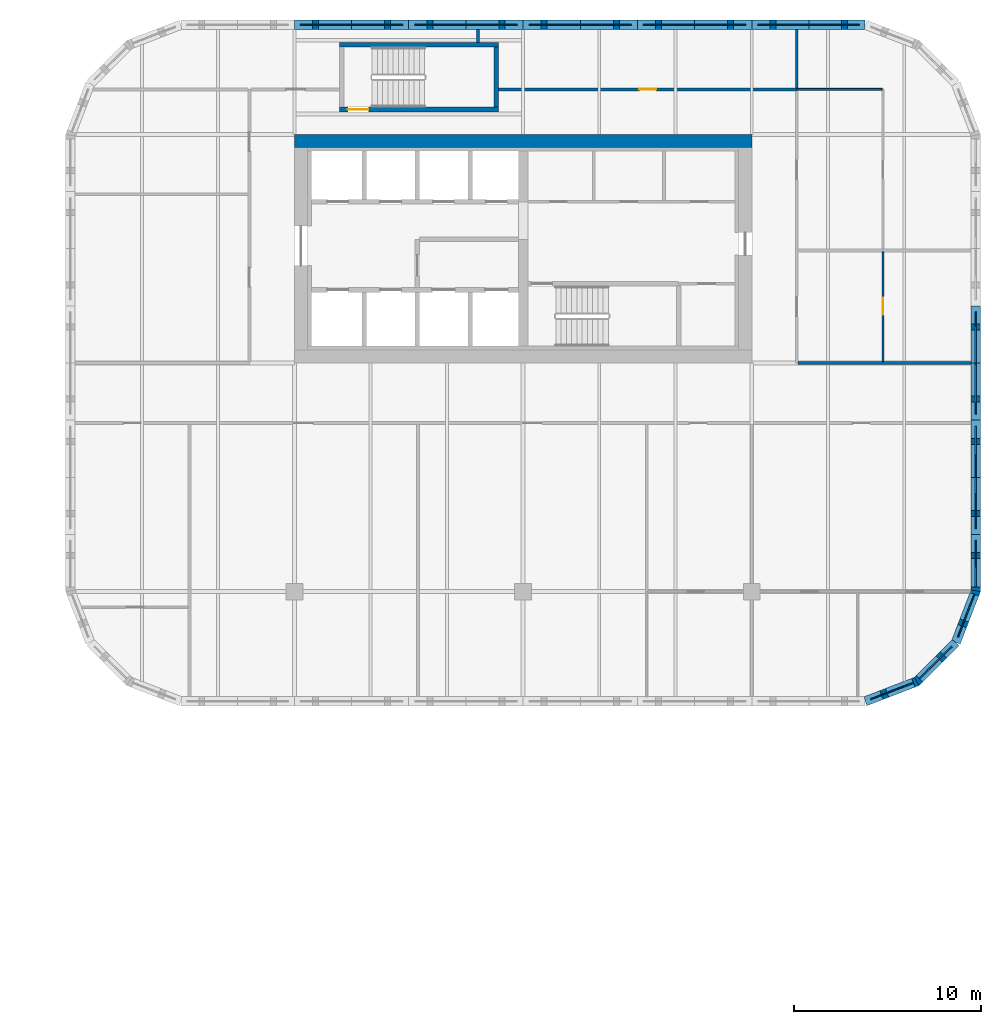
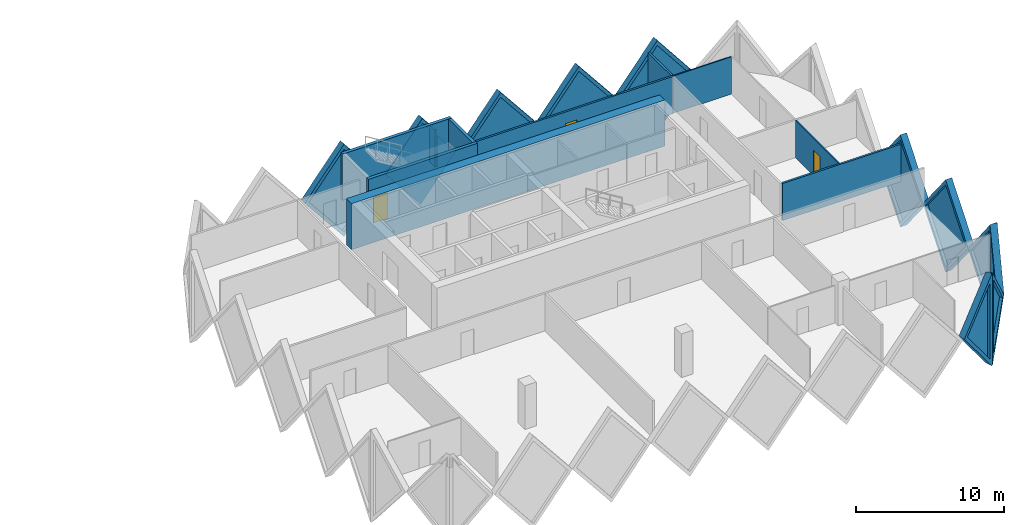
# One storey, part 14 of 18: 21 walls, 11 plates, 3 doors, 14 openings.
"""IFC4 building model written with IfcOpenShell, lengths in metres."""

from ifc_helpers import new_model, si_unit, direction, frame, frame_2d, origin, place, context, subcontext, project, spatial, polyline, rectangle, outline, extrude, faceted_brep, source, transform, mapped, material, layer, layer_set, type_object, element, fill, save


model = new_model("IFC4")

# Units and contexts
model_context = context("Model", 3, precision=1e-05, world=origin(), true_north=direction((0.0, 1.0)))
body_context = subcontext(model_context, "Body", "Model", "MODEL_VIEW")
ifc_project = project(units=[si_unit("LENGTHUNIT", "METRE"), si_unit("AREAUNIT", "SQUARE_METRE"), si_unit("VOLUMEUNIT", "CUBIC_METRE"), si_unit("PLANEANGLEUNIT", "RADIAN"), si_unit("MASSUNIT", "GRAM", prefix="KILO")], contexts=[model_context])

# Site, building, storey
site_placement = place(None, origin())
site = spatial("IfcSite", under=ifc_project, at=site_placement, CompositionType="ELEMENT")
building_placement = place(site_placement, origin())
building = spatial("IfcBuilding", under=site, at=building_placement, Name="Tessera Gate Towers", CompositionType="ELEMENT")
storey_placement = place(building_placement, frame((0.0, 0.0, 37.199951171875)))
storey = spatial("IfcBuildingStorey", under=building, at=storey_placement, Name="L08", CompositionType="ELEMENT", Elevation=37.199951171875)

# Wall, opening, door
ifc_material_1 = material(Name="Concrete C40/50", Category="concrete")
ifc_layer_1 = layer(ifc_material_1, 0.25)
ifc_layer_set_1 = layer_set([ifc_layer_1], Name="CORE ENCLOSURE WALL 250")
wall_type_1 = type_object("IfcWallType", Name="CORE ENCLOSURE WALL 250", PredefinedType="SOLIDWALL", material=ifc_layer_set_1)
wall_1_placement = place(storey_placement, frame((108.5, 50.125, 0.0), z_axis=(0.0, 0.0, 1.0), x_axis=(-1.0, 0.0, 0.0)))
wall_1 = element("IfcWall", 1, at=wall_1_placement, inside=storey, type_object=wall_type_1, Name="L08 ST7 enclosure wall", PredefinedType="SOLIDWALL", context=body_context, shape_type="SweptSolid", body=[
    extrude(rectangle(XDim=8.5, YDim=0.25, at=frame_2d((4.25, 0.0))), origin(), (0.0, 0.0, 1.0), 3.800048828125),
])
shared_shape_1 = source(origin(), body_context, "Body", "SweptSolid", [
    extrude(rectangle(XDim=1.10009765625, YDim=2.10009765625, at=frame_2d((0.550048828125, 1.050048828125))), frame((0.0, 0.135009765625, 0.0), z_axis=(0.0, -1.0, 0.0), x_axis=(1.0, 0.0, 0.0)), (0.0, 0.0, 1.0), 0.27001953125),
])
opening_1_placement = place(wall_1_placement, frame((6.949951171875, 0.0, 0.0)))
opening_1 = element("IfcOpeningElement", 2, at=opening_1_placement, cuts=wall_1, Name="Opening SD-ST7-1", PredefinedType="OPENING", context=body_context, shape_type="MappedRepresentation", body=[
    mapped(shared_shape_1, transform((0.0, 0.0, 0.0), scale=1.0)),
])
ifc_material_2 = material(Name="Hollow steel fire door", Category="steel")
door_type_1 = type_object("IfcDoorType", Name="CORE DOOR SD1100 1100x2100", OperationType="NOTDEFINED", PredefinedType="DOOR", material=ifc_material_2)
shared_shape_2 = source(origin(), body_context, "Body", "SweptSolid", [
    extrude(rectangle(XDim=1.10009765625, YDim=2.10009765625, at=frame_2d((0.550048828125, 1.050048828125))), frame((0.0, 0.02490234375, 0.0), z_axis=(0.0, -1.0, 0.0), x_axis=(1.0, 0.0, 0.0)), (0.0, 0.0, 1.0), 0.050048828125),
])
door_1_placement = place(opening_1_placement, origin())
door_1 = element("IfcDoor", 3, at=door_1_placement, inside=storey, type_object=door_type_1, Name="Stair door", OperationType="SINGLE_SWING_RIGHT", OverallHeight=2.10009765625, OverallWidth=1.10009765625, PredefinedType="DOOR", context=body_context, shape_type="MappedRepresentation", body=[
    mapped(shared_shape_2, transform((0.0, 0.0, 0.0), scale=1.0)),
])
fill(opening_1, door_1)

# Walls
wall_2_placement = place(storey_placement, frame((100.0, 53.574951171875, 0.0), z_axis=(0.0, 0.0, 1.0), x_axis=(1.0, 0.0, 0.0)))
element("IfcWall", 4, at=wall_2_placement, inside=storey, type_object=wall_type_1, Name="L08 ST7 enclosure wall", PredefinedType="SOLIDWALL", context=body_context, shape_type="SweptSolid", body=[
    extrude(rectangle(XDim=8.5, YDim=0.25, at=frame_2d((4.25, 0.0))), origin(), (0.0, 0.0, 1.0), 3.800048828125),
])
wall_3_placement = place(storey_placement, frame((108.375, 53.449951171875, 0.0), z_axis=(0.0, 0.0, 1.0), x_axis=(0.0, -1.0, 0.0)))
element("IfcWall", 5, at=wall_3_placement, inside=storey, type_object=wall_type_1, Name="L08 ST7 enclosure wall", PredefinedType="SOLIDWALL", context=body_context, shape_type="SweptSolid", body=[
    extrude(rectangle(XDim=3.199951171875, YDim=0.25, at=frame_2d((1.60009765625, 0.0))), origin(), (0.0, 0.0, 1.0), 3.800048828125),
])
ifc_material_3 = material(Name="Concrete C60/75", Category="concrete")
ifc_layer_2 = layer(ifc_material_3, 0.699951171875)
ifc_layer_set_2 = layer_set([ifc_layer_2], Name="CORE SHEAR WALL 700 C60/75")
wall_type_2 = type_object("IfcWallType", Name="CORE SHEAR WALL 700 C60/75", PredefinedType="SHEAR", material=ifc_layer_set_2)
wall_4_placement = place(storey_placement, frame((97.60009765625, 48.449951171875, 0.0), z_axis=(0.0, 0.0, 1.0), x_axis=(1.0, 0.0, 0.0)))
element("IfcWall", 6, at=wall_4_placement, inside=storey, type_object=wall_type_2, Name="Core wall N L08", PredefinedType="SHEAR", context=body_context, shape_type="SweptSolid", body=[
    extrude(rectangle(XDim=24.39990234375, YDim=0.699951171875, at=frame_2d((12.199951171875, 0.0))), origin(), (0.0, 0.0, 1.0), 3.800048828125),
])
ifc_material_4 = material(Name="Gypsum board on steel studs, mineral wool", Category="steel")
ifc_layer_3 = layer(ifc_material_4, 0.14990234375)
ifc_layer_set_3 = layer_set([ifc_layer_3], Name="CORRIDOR WALL 150")
wall_type_3 = type_object("IfcWallType", Name="CORRIDOR WALL 150", PredefinedType="PARTITIONING", material=ifc_layer_set_3)
wall_5_placement = place(storey_placement, frame((124.47607421875, 36.60009765625, 0.0), z_axis=(0.0, 0.0, 1.0), x_axis=(1.0, 0.0, 0.0)))
element("IfcWall", 7, at=wall_5_placement, inside=storey, type_object=wall_type_3, Name="T2-L08-PW-014", PredefinedType="PARTITIONING", context=body_context, shape_type="SweptSolid", body=[
    extrude(rectangle(XDim=9.223876953125, YDim=0.14990234375, at=frame_2d((4.61181640625, 0.0))), origin(), (0.0, 0.0, 1.0), 3.067138671875),
])

# Wall, opening, door
wall_6_placement = place(storey_placement, frame((108.5, 51.199951171875, 0.0), z_axis=(0.0, 0.0, 1.0), x_axis=(1.0, 0.0, 0.0)))
wall_6 = element("IfcWall", 8, at=wall_6_placement, inside=storey, type_object=wall_type_3, Name="T2-L08-PW-022", PredefinedType="PARTITIONING", context=body_context, shape_type="SweptSolid", body=[
    extrude(rectangle(XDim=15.89990234375, YDim=0.14990234375, at=frame_2d((7.949951171875, 0.0))), origin(), (0.0, 0.0, 1.0), 3.067138671875),
])
shared_shape_3 = source(origin(), body_context, "Body", "SweptSolid", [
    extrude(rectangle(XDim=0.89990234375, YDim=2.10009765625, at=frame_2d((0.449951171875, 1.050048828125))), frame((0.0, 0.0849609375, 0.0), z_axis=(0.0, -1.0, 0.0), x_axis=(1.0, 0.0, 0.0)), (0.0, 0.0, 1.0), 0.169921875),
])
opening_2_placement = place(wall_6_placement, frame((7.5, 0.0, 0.0)))
opening_2 = element("IfcOpeningElement", 9, at=opening_2_placement, cuts=wall_6, Name="Opening D890FD60-B04-04", PredefinedType="OPENING", context=body_context, shape_type="MappedRepresentation", body=[
    mapped(shared_shape_3, transform((0.0, 0.0, 0.0), scale=1.0)),
])
ifc_material_5 = material(Name="Timber door leaf in steel frame", Category="steel")
door_type_2 = type_object("IfcDoorType", Name="CORRIDOR DOOR 900 FD60", OperationType="NOTDEFINED", PredefinedType="DOOR", material=ifc_material_5)
shared_shape_4 = source(origin(), body_context, "Body", "SweptSolid", [
    extrude(rectangle(XDim=0.89990234375, YDim=2.10009765625, at=frame_2d((0.449951171875, 1.050048828125))), frame((0.0, 0.02490234375, 0.0), z_axis=(0.0, -1.0, 0.0), x_axis=(1.0, 0.0, 0.0)), (0.0, 0.0, 1.0), 0.050048828125),
])
door_2_placement = place(opening_2_placement, origin())
door_2 = element("IfcDoor", 10, at=door_2_placement, inside=storey, type_object=door_type_2, Name="T2-L08-PD-016", OperationType="SINGLE_SWING_LEFT", OverallHeight=2.10009765625, OverallWidth=0.89990234375, PredefinedType="DOOR", context=body_context, shape_type="MappedRepresentation", body=[
    mapped(shared_shape_4, transform((0.0, 0.0, 0.0), scale=1.0)),
])
fill(opening_2, door_2)

ifc_material_6 = material(Name="Glass", Category="glass")
ifc_layer_4 = layer(ifc_material_6, 0.10009765625)
ifc_layer_set_4 = layer_set([ifc_layer_4], Name="GLAZED PARTITION 100")
wall_type_4 = type_object("IfcWallType", Name="GLAZED PARTITION 100", PredefinedType="PARTITIONING", material=ifc_layer_set_4)
wall_7_placement = place(storey_placement, frame((129.0, 42.52392578125, 0.0), z_axis=(0.0, 0.0, 1.0), x_axis=(0.0, -1.0, 0.0)))
wall_7 = element("IfcWall", 11, at=wall_7_placement, inside=storey, type_object=wall_type_4, Name="T2-L08-PW-016", PredefinedType="PARTITIONING", context=body_context, shape_type="SweptSolid", body=[
    extrude(rectangle(XDim=5.847900390625, YDim=0.10009765625, at=frame_2d((2.923828125, 0.0))), origin(), (0.0, 0.0, 1.0), 3.067138671875),
])
shared_shape_5 = source(origin(), body_context, "Body", "SweptSolid", [
    extrude(rectangle(XDim=0.89990234375, YDim=2.10009765625, at=frame_2d((0.449951171875, 1.050048828125))), frame((0.0, 0.06005859375, 0.0), z_axis=(0.0, -1.0, 0.0), x_axis=(1.0, 0.0, 0.0)), (0.0, 0.0, 1.0), 0.1201171875),
])
opening_3_placement = place(wall_7_placement, frame((2.447998046875, 0.0, 0.0)))
opening_3 = element("IfcOpeningElement", 12, at=opening_3_placement, cuts=wall_7, Name="Opening D690-B04-02", PredefinedType="OPENING", context=body_context, shape_type="MappedRepresentation", body=[
    mapped(shared_shape_5, transform((0.0, 0.0, 0.0), scale=1.0)),
])
ifc_material_7 = material(Name="Glass in aluminium frame", Category="aluminium")
door_type_3 = type_object("IfcDoorType", Name="GLAZED DOOR 900 NOT RATED", OperationType="NOTDEFINED", PredefinedType="DOOR", material=ifc_material_7)
door_3_placement = place(opening_3_placement, origin())
door_3 = element("IfcDoor", 13, at=door_3_placement, inside=storey, type_object=door_type_3, Name="T2-L08-PD-007", OperationType="SINGLE_SWING_RIGHT", OverallHeight=2.10009765625, OverallWidth=0.89990234375, PredefinedType="DOOR", context=body_context, shape_type="MappedRepresentation", body=[
    mapped(shared_shape_4, transform((0.0, 0.0, 0.0), scale=1.0)),
])
fill(opening_3, door_3)

# Walls
wall_8_placement = place(storey_placement, frame((124.40087890625, 51.199951171875, 0.0), z_axis=(0.0, 0.0, 1.0), x_axis=(1.0, 0.0, 0.0)))
element("IfcWall", 14, at=wall_8_placement, inside=storey, type_object=wall_type_4, Name="T2-L08-PW-023", PredefinedType="PARTITIONING", context=body_context, shape_type="SweptSolid", body=[
    extrude(rectangle(XDim=4.548095703125, YDim=0.10009765625, at=frame_2d((2.27392578125, 0.0))), origin(), (0.0, 0.0, 1.0), 3.067138671875),
])
ifc_material_8 = material(Name="Gypsum board on steel studs, mineral wool", Category="steel")
ifc_layer_5 = layer(ifc_material_8, 0.14990234375)
ifc_layer_set_5 = layer_set([ifc_layer_5], Name="TENANCY WALL 150")
wall_type_5 = type_object("IfcWallType", Name="TENANCY WALL 150", PredefinedType="PARTITIONING", material=ifc_layer_set_5)
wall_9_placement = place(storey_placement, frame((124.39990234375, 51.27587890625, 0.0), z_axis=(0.0, 0.0, 1.0), x_axis=(0.0, 1.0, 0.0)))
element("IfcWall", 15, at=wall_9_placement, inside=storey, type_object=wall_type_5, Name="T2-L08-PW-024", PredefinedType="PARTITIONING", context=body_context, shape_type="SweptSolid", body=[
    extrude(rectangle(XDim=3.1240234375, YDim=0.14990234375, at=frame_2d((1.56201171875, 0.0))), origin(), (0.0, 0.0, 1.0), 3.067138671875),
])
wall_10_placement = place(storey_placement, frame((107.39990234375, 53.699951171875, 0.0), z_axis=(0.0, 0.0, 1.0), x_axis=(0.0, 1.0, 0.0)))
element("IfcWall", 16, at=wall_10_placement, inside=storey, type_object=wall_type_5, Name="T2-L08-PW-025", PredefinedType="PARTITIONING", context=body_context, shape_type="SweptSolid", body=[
    extrude(rectangle(XDim=0.699951171875, YDim=0.14990234375, at=frame_2d((0.35009765625, 0.0))), origin(), (0.0, 0.0, 1.0), 3.067138671875),
])

# Wall, opening, plate
ifc_material_9 = material(Name="Precast concrete C60/75 white", Category="concrete")
ifc_layer_6 = layer(ifc_material_9, 0.5)
ifc_layer_set_6 = layer_set([ifc_layer_6], Name="TS1 tessera")
wall_type_6 = type_object("IfcWallType", Name="TS1 tessera", PredefinedType="SOLIDWALL", material=ifc_layer_set_6)
shared_shape_6 = source(origin(), body_context, "Body", "Brep", [
    faceted_brep([(3.00341796875, -0.25, 0.0), (6.053466796875, -0.25, 3.800048828125), (3.00341796875, -0.25, 7.60009765625), (0.0, -0.25, 3.800048828125), (0.046630859375, 0.25, 3.85888671875), (3.00341796875, 0.25, 7.60009765625), (6.053466796875, 0.25, 3.800048828125), (3.00341796875, 0.25, 0.0), (0.046630859375, 0.25, 3.7412109375), (0.0, 0.0, 3.800048828125)], [[[0, 1, 2, 3]], [[4, 5, 6, 7, 8]], [[7, 6, 1, 0]], [[6, 5, 2, 1]], [[5, 4, 9, 3, 2]], [[8, 7, 0, 3, 9]], [[8, 9, 4]]]),
])
wall_11_placement = place(storey_placement, frame((128.053466796875, 54.64990234375, -3.800048828125), z_axis=(0.0, 0.0, 1.0), x_axis=(-1.0, 0.0, 0.0)))
wall_11 = element("IfcWall", 17, at=wall_11_placement, inside=storey, type_object=wall_type_6, Name="Precast tessera T2 TS1-0063", PredefinedType="SOLIDWALL", context=body_context, shape_type="MappedRepresentation", body=[
    mapped(shared_shape_6, transform((0.0, 0.0, 0.0), scale=1.0)),
])
shared_shape_7 = source(origin(), body_context, "Body", "SweptSolid", [
    extrude(outline(polyline([(3.0048828125, 0.4013671875), (5.73291015625, 3.800048828125), (3.0048828125, 7.19873046875), (0.318603515625, 3.800048828125), (3.0048828125, 0.4013671875)])), frame((0.0, 0.260009765625, 0.0), z_axis=(0.0, -1.0, 0.0), x_axis=(1.0, 0.0, 0.0)), (0.0, 0.0, 1.0), 0.52001953125),
])
opening_4_placement = place(wall_11_placement, origin())
opening_4 = element("IfcOpeningElement", 18, at=opening_4_placement, cuts=wall_11, Name="Opening T2-PL2-0119", PredefinedType="OPENING", context=body_context, shape_type="MappedRepresentation", body=[
    mapped(shared_shape_7, transform((0.0, 0.0, 0.0), scale=1.0)),
])
ifc_material_10 = material(Name="Low-e laminated glass", Category="glass")
ifc_layer_7 = layer(ifc_material_10, 0.06005859375)
ifc_layer_set_7 = layer_set([ifc_layer_7], Name="PL2 rhombic pane")
plate_type = type_object("IfcPlateType", Name="PL2 rhombic pane", PredefinedType="SHEET", material=ifc_layer_set_7)
shared_shape_8 = source(origin(), body_context, "Body", "SweptSolid", [
    extrude(outline(polyline([(3.0048828125, 0.4013671875), (5.73291015625, 3.800048828125), (3.0048828125, 7.19873046875), (0.318603515625, 3.800048828125), (3.0048828125, 0.4013671875)])), frame((0.0, 0.030029296875, 0.0), z_axis=(0.0, -1.0, 0.0), x_axis=(1.0, 0.0, 0.0)), (0.0, 0.0, 1.0), 0.06005859375),
])
plate_1_placement = place(opening_4_placement, origin())
plate_1 = element("IfcPlate", 19, at=plate_1_placement, inside=storey, type_object=plate_type, Name="Glass pane T2 PL2-0119", PredefinedType="SHEET", context=body_context, shape_type="MappedRepresentation", body=[
    mapped(shared_shape_8, transform((0.0, 0.0, 0.0), scale=1.0)),
])
fill(opening_4, plate_1)

shared_shape_9 = source(origin(), body_context, "Body", "Brep", [
    faceted_brep([(3.050048828125, -0.25, 0.0), (6.099853515625, -0.25, 3.7998046875), (6.099853515625, -0.25, 3.80029296875), (3.050048828125, -0.25, 7.60009765625), (0.0, -0.25, 3.800048828125), (0.0, 0.25, 3.800048828125), (3.050048828125, 0.25, 7.60009765625), (6.099853515625, 0.25, 3.80029296875), (6.099853515625, 0.25, 3.7998046875), (3.050048828125, 0.25, 0.0)], [[[0, 1, 2, 3, 4]], [[5, 6, 7, 8, 9]], [[9, 8, 1, 0]], [[7, 6, 3, 2]], [[6, 5, 4, 3]], [[5, 9, 0, 4]], [[1, 8, 7, 2]]]),
])
wall_12_placement = place(storey_placement, frame((133.949951171875, 33.550048828125, -3.800048828125), z_axis=(0.0, 0.0, 1.0), x_axis=(0.0, 1.0, 0.0)))
wall_12 = element("IfcWall", 20, at=wall_12_placement, inside=storey, type_object=wall_type_6, Name="Precast tessera T2 TS1-0061", PredefinedType="SOLIDWALL", context=body_context, shape_type="MappedRepresentation", body=[
    mapped(shared_shape_9, transform((0.0, 0.0, 0.0), scale=1.0)),
])
shared_shape_10 = source(origin(), body_context, "Body", "SweptSolid", [
    extrude(outline(polyline([(3.050048828125, 0.3994140625), (5.779541015625, 3.800048828125), (3.050048828125, 7.20068359375), (0.320556640625, 3.800048828125), (3.050048828125, 0.3994140625)])), frame((0.0, 0.260009765625, 0.0), z_axis=(0.0, -1.0, 0.0), x_axis=(1.0, 0.0, 0.0)), (0.0, 0.0, 1.0), 0.52001953125),
])
opening_5_placement = place(wall_12_placement, origin())
opening_5 = element("IfcOpeningElement", 21, at=opening_5_placement, cuts=wall_12, Name="Opening T2-PL2-0113", PredefinedType="OPENING", context=body_context, shape_type="MappedRepresentation", body=[
    mapped(shared_shape_10, transform((0.0, 0.0, 0.0), scale=1.0)),
])
shared_shape_11 = source(origin(), body_context, "Body", "SweptSolid", [
    extrude(outline(polyline([(3.050048828125, 0.3994140625), (5.779541015625, 3.800048828125), (3.050048828125, 7.20068359375), (0.320556640625, 3.800048828125), (3.050048828125, 0.3994140625)])), frame((0.0, 0.030029296875, 0.0), z_axis=(0.0, -1.0, 0.0), x_axis=(1.0, 0.0, 0.0)), (0.0, 0.0, 1.0), 0.06005859375),
])
plate_2_placement = place(opening_5_placement, origin())
plate_2 = element("IfcPlate", 22, at=plate_2_placement, inside=storey, type_object=plate_type, Name="Glass pane T2 PL2-0113", PredefinedType="SHEET", context=body_context, shape_type="MappedRepresentation", body=[
    mapped(shared_shape_11, transform((0.0, 0.0, 0.0), scale=1.0)),
])
fill(opening_5, plate_2)

wall_13_placement = place(storey_placement, frame((115.89990234375, 54.64990234375, -3.800048828125), z_axis=(0.0, 0.0, 1.0), x_axis=(-1.0, 0.0, 0.0)))
wall_13 = element("IfcWall", 23, at=wall_13_placement, inside=storey, type_object=wall_type_6, Name="Precast tessera T2 TS1-0065", PredefinedType="SOLIDWALL", context=body_context, shape_type="MappedRepresentation", body=[
    mapped(shared_shape_9, transform((0.0, 0.0, 0.0), scale=1.0)),
])
opening_6_placement = place(wall_13_placement, origin())
opening_6 = element("IfcOpeningElement", 24, at=opening_6_placement, cuts=wall_13, Name="Opening T2-PL2-0121", PredefinedType="OPENING", context=body_context, shape_type="MappedRepresentation", body=[
    mapped(shared_shape_10, transform((0.0, 0.0, 0.0), scale=1.0)),
])
plate_3_placement = place(opening_6_placement, origin())
plate_3 = element("IfcPlate", 25, at=plate_3_placement, inside=storey, type_object=plate_type, Name="Glass pane T2 PL2-0121", PredefinedType="SHEET", context=body_context, shape_type="MappedRepresentation", body=[
    mapped(shared_shape_11, transform((0.0, 0.0, 0.0), scale=1.0)),
])
fill(opening_6, plate_3)

wall_14_placement = place(storey_placement, frame((103.699951171875, 54.64990234375, -3.800048828125), z_axis=(0.0, 0.0, 1.0), x_axis=(-1.0, 0.0, 0.0)))
wall_14 = element("IfcWall", 26, at=wall_14_placement, inside=storey, type_object=wall_type_6, Name="Precast tessera T2 TS1-0067", PredefinedType="SOLIDWALL", context=body_context, shape_type="MappedRepresentation", body=[
    mapped(shared_shape_9, transform((0.0, 0.0, 0.0), scale=1.0)),
])
opening_7_placement = place(wall_14_placement, origin())
opening_7 = element("IfcOpeningElement", 27, at=opening_7_placement, cuts=wall_14, Name="Opening T2-PL2-0123", PredefinedType="OPENING", context=body_context, shape_type="MappedRepresentation", body=[
    mapped(shared_shape_10, transform((0.0, 0.0, 0.0), scale=1.0)),
])
plate_4_placement = place(opening_7_placement, origin())
plate_4 = element("IfcPlate", 28, at=plate_4_placement, inside=storey, type_object=plate_type, Name="Glass pane T2 PL2-0123", PredefinedType="SHEET", context=body_context, shape_type="MappedRepresentation", body=[
    mapped(shared_shape_11, transform((0.0, 0.0, 0.0), scale=1.0)),
])
fill(opening_7, plate_4)

shared_shape_12 = source(origin(), body_context, "Body", "SweptSolid", [
    extrude(outline(polyline([(3.050048828125, 0.0), (6.10009765625, 3.800048828125), (3.050048828125, 7.60009765625), (0.0, 3.800048828125), (3.050048828125, 0.0)])), frame((0.0, 0.25, 0.0), z_axis=(0.0, -1.0, 0.0), x_axis=(1.0, 0.0, 0.0)), (0.0, 0.0, 1.0), 0.5),
])
wall_15_placement = place(storey_placement, frame((133.949951171875, 27.449951171875, -3.800048828125), z_axis=(0.0, 0.0, 1.0), x_axis=(0.0, 1.0, 0.0)))
wall_15 = element("IfcWall", 29, at=wall_15_placement, inside=storey, type_object=wall_type_6, Name="Precast tessera T2 TS1-0060", PredefinedType="SOLIDWALL", context=body_context, shape_type="MappedRepresentation", body=[
    mapped(shared_shape_12, transform((0.0, 0.0, 0.0), scale=1.0)),
])
opening_8_placement = place(wall_15_placement, origin())
opening_8 = element("IfcOpeningElement", 30, at=opening_8_placement, cuts=wall_15, Name="Opening T2-PL2-0112", PredefinedType="OPENING", context=body_context, shape_type="MappedRepresentation", body=[
    mapped(shared_shape_10, transform((0.0, 0.0, 0.0), scale=1.0)),
])
plate_5_placement = place(opening_8_placement, origin())
plate_5 = element("IfcPlate", 31, at=plate_5_placement, inside=storey, type_object=plate_type, Name="Glass pane T2 PL2-0112", PredefinedType="SHEET", context=body_context, shape_type="MappedRepresentation", body=[
    mapped(shared_shape_11, transform((0.0, 0.0, 0.0), scale=1.0)),
])
fill(opening_8, plate_5)

wall_16_placement = place(storey_placement, frame((122.0, 54.64990234375, -3.800048828125), z_axis=(0.0, 0.0, 1.0), x_axis=(-1.0, 0.0, 0.0)))
wall_16 = element("IfcWall", 32, at=wall_16_placement, inside=storey, type_object=wall_type_6, Name="Precast tessera T2 TS1-0064", PredefinedType="SOLIDWALL", context=body_context, shape_type="MappedRepresentation", body=[
    mapped(shared_shape_12, transform((0.0, 0.0, 0.0), scale=1.0)),
])
opening_9_placement = place(wall_16_placement, origin())
opening_9 = element("IfcOpeningElement", 33, at=opening_9_placement, cuts=wall_16, Name="Opening T2-PL2-0120", PredefinedType="OPENING", context=body_context, shape_type="MappedRepresentation", body=[
    mapped(shared_shape_10, transform((0.0, 0.0, 0.0), scale=1.0)),
])
plate_6_placement = place(opening_9_placement, origin())
plate_6 = element("IfcPlate", 34, at=plate_6_placement, inside=storey, type_object=plate_type, Name="Glass pane T2 PL2-0120", PredefinedType="SHEET", context=body_context, shape_type="MappedRepresentation", body=[
    mapped(shared_shape_11, transform((0.0, 0.0, 0.0), scale=1.0)),
])
fill(opening_9, plate_6)

wall_17_placement = place(storey_placement, frame((109.800048828125, 54.64990234375, -3.800048828125), z_axis=(0.0, 0.0, 1.0), x_axis=(-1.0, 0.0, 0.0)))
wall_17 = element("IfcWall", 35, at=wall_17_placement, inside=storey, type_object=wall_type_6, Name="Precast tessera T2 TS1-0066", PredefinedType="SOLIDWALL", context=body_context, shape_type="MappedRepresentation", body=[
    mapped(shared_shape_12, transform((0.0, 0.0, 0.0), scale=1.0)),
])
opening_10_placement = place(wall_17_placement, origin())
opening_10 = element("IfcOpeningElement", 36, at=opening_10_placement, cuts=wall_17, Name="Opening T2-PL2-0122", PredefinedType="OPENING", context=body_context, shape_type="MappedRepresentation", body=[
    mapped(shared_shape_10, transform((0.0, 0.0, 0.0), scale=1.0)),
])
plate_7_placement = place(opening_10_placement, origin())
plate_7 = element("IfcPlate", 37, at=plate_7_placement, inside=storey, type_object=plate_type, Name="Glass pane T2 PL2-0122", PredefinedType="SHEET", context=body_context, shape_type="MappedRepresentation", body=[
    mapped(shared_shape_11, transform((0.0, 0.0, 0.0), scale=1.0)),
])
fill(opening_10, plate_7)

ifc_material_11 = material(Name="Precast concrete C60/75 white", Category="concrete")
ifc_layer_8 = layer(ifc_material_11, 0.5)
ifc_layer_set_8 = layer_set([ifc_layer_8], Name="TS3 corner tessera")
wall_type_7 = type_object("IfcWallType", Name="TS3 corner tessera", PredefinedType="SOLIDWALL", material=ifc_layer_set_8)
shared_shape_13 = source(origin(), body_context, "Body", "Brep", [
    faceted_brep([(2.950439453125, -0.25, 0.0), (3.00341796875, -0.25, 0.068359375), (3.00341796875, -0.25, 7.53173828125), (2.950439453125, -0.25, 7.60009765625), (0.0, -0.25, 3.800048828125), (0.046630859375, 0.25, 3.860107421875), (2.897705078125, 0.25, 7.531982421875), (2.897705078125, 0.25, 0.068115234375), (0.046630859375, 0.25, 3.739990234375), (2.950439453125, 0.00048828125, 0.0), (2.950439453125, 0.00048828125, 7.60009765625), (0.0, 0.0, 3.800048828125)], [[[0, 1, 2, 3, 4]], [[5, 6, 7, 8]], [[1, 0, 9]], [[10, 3, 2]], [[6, 5, 11, 4, 3, 10]], [[8, 7, 9, 0, 4, 11]], [[8, 11, 5]], [[1, 9, 7, 6, 10, 2]]]),
])
wall_18_placement = place(storey_placement, frame((128.053466796875, 18.550048828125, -3.800048828125), z_axis=(0.0, 0.0, 1.0), x_axis=(0.933007896601, 0.359855894603, 0.0)))
wall_18 = element("IfcWall", 38, at=wall_18_placement, inside=storey, type_object=wall_type_7, Name="Precast corner tessera T2 TS3-0097", PredefinedType="SOLIDWALL", context=body_context, shape_type="MappedRepresentation", body=[
    mapped(shared_shape_13, transform((0.0, 0.0, 0.0), scale=1.0)),
])
shared_shape_14 = source(origin(), body_context, "Body", "SweptSolid", [
    extrude(outline(polyline([(2.75048828125, 6.934814453125), (0.31640625, 3.800048828125), (2.75048828125, 0.665283203125), (2.75048828125, 6.934814453125)])), frame((0.0, 0.260009765625, 0.0), z_axis=(0.0, -1.0, 0.0), x_axis=(1.0, 0.0, 0.0)), (0.0, 0.0, 1.0), 0.52001953125),
])
opening_11_placement = place(wall_18_placement, origin())
opening_11 = element("IfcOpeningElement", 39, at=opening_11_placement, cuts=wall_18, Name="Opening T2-PL2-0108", PredefinedType="OPENING", context=body_context, shape_type="MappedRepresentation", body=[
    mapped(shared_shape_14, transform((0.0, 0.0, 0.0), scale=1.0)),
])
shared_shape_15 = source(origin(), body_context, "Body", "SweptSolid", [
    extrude(outline(polyline([(2.75048828125, 6.934814453125), (0.31640625, 3.800048828125), (2.75048828125, 0.665283203125), (2.75048828125, 6.934814453125)])), frame((0.0, 0.030029296875, 0.0), z_axis=(0.0, -1.0, 0.0), x_axis=(1.0, 0.0, 0.0)), (0.0, 0.0, 1.0), 0.06005859375),
])
plate_8_placement = place(opening_11_placement, origin())
plate_8 = element("IfcPlate", 40, at=plate_8_placement, inside=storey, type_object=plate_type, Name="Glass pane T2 PL2-0108", PredefinedType="SHEET", context=body_context, shape_type="MappedRepresentation", body=[
    mapped(shared_shape_15, transform((0.0, 0.0, 0.0), scale=1.0)),
])
fill(opening_11, plate_8)

shared_shape_16 = source(origin(), body_context, "Body", "Brep", [
    faceted_brep([(2.950439453125, -0.25, 0.0), (2.9970703125, -0.25, 0.05908203125), (2.9970703125, -0.25, 7.541015625), (2.950439453125, -0.25, 7.60009765625), (0.0, -0.25, 3.800048828125), (0.052978515625, 0.25, 3.8681640625), (2.904052734375, 0.25, 7.540283203125), (2.904052734375, 0.25, 0.059814453125), (0.052978515625, 0.25, 3.73193359375), (2.950439453125, 0.00048828125, 0.0), (2.950439453125, 0.00048828125, 7.60009765625), (0.0, 0.0, 3.800048828125)], [[[0, 1, 2, 3, 4]], [[5, 6, 7, 8]], [[1, 0, 9]], [[10, 3, 2]], [[6, 5, 11, 4, 3, 10]], [[8, 7, 9, 0, 4, 11]], [[8, 11, 5]], [[1, 9, 7, 6, 10, 2]]]),
])
wall_19_placement = place(storey_placement, frame((132.88818359375, 21.69384765625, -3.800048828125), z_axis=(0.0, 0.0, 1.0), x_axis=(0.359901446078, 0.932990326376, 0.0)))
wall_19 = element("IfcWall", 41, at=wall_19_placement, inside=storey, type_object=wall_type_7, Name="Precast corner tessera T2 TS3-0099", PredefinedType="SOLIDWALL", context=body_context, shape_type="MappedRepresentation", body=[
    mapped(shared_shape_16, transform((0.0, 0.0, 0.0), scale=1.0)),
])
opening_12_placement = place(wall_19_placement, origin())
opening_12 = element("IfcOpeningElement", 42, at=opening_12_placement, cuts=wall_19, Name="Opening T2-PL2-0110", PredefinedType="OPENING", context=body_context, shape_type="MappedRepresentation", body=[
    mapped(shared_shape_14, transform((0.0, 0.0, 0.0), scale=1.0)),
])
plate_9_placement = place(opening_12_placement, origin())
plate_9 = element("IfcPlate", 43, at=plate_9_placement, inside=storey, type_object=plate_type, Name="Glass pane T2 PL2-0110", PredefinedType="SHEET", context=body_context, shape_type="MappedRepresentation", body=[
    mapped(shared_shape_15, transform((0.0, 0.0, 0.0), scale=1.0)),
])
fill(opening_12, plate_9)

shared_shape_17 = source(origin(), body_context, "Body", "Brep", [
    faceted_brep([(0.046630859375, -0.25, 0.0), (3.050048828125, -0.25, 3.800048828125), (0.046630859375, -0.25, 7.60009765625), (0.0, -0.25, 7.5400390625), (0.0, -0.25, 0.06005859375), (0.09326171875, 0.25, 7.541259765625), (3.050048828125, 0.25, 3.800048828125), (0.09326171875, 0.25, 0.058837890625), (0.046630859375, 0.0, 0.0), (0.046630859375, 0.0, 7.60009765625)], [[[0, 1, 2, 3, 4]], [[5, 6, 7]], [[7, 6, 1, 0, 8]], [[6, 5, 9, 2, 1]], [[3, 2, 9]], [[8, 0, 4]], [[7, 8, 4, 3, 9, 5]]]),
])
wall_20_placement = place(storey_placement, frame((133.949951171875, 24.39990234375, -3.800048828125), z_axis=(0.0, 0.0, 1.0), x_axis=(0.0, 1.0, 0.0)))
wall_20 = element("IfcWall", 44, at=wall_20_placement, inside=storey, type_object=wall_type_7, Name="Precast corner tessera T2 TS3-0100", PredefinedType="SOLIDWALL", context=body_context, shape_type="MappedRepresentation", body=[
    mapped(shared_shape_17, transform((0.0, 0.0, 0.0), scale=1.0)),
])
shared_shape_18 = source(origin(), body_context, "Body", "SweptSolid", [
    extrude(outline(polyline([(0.24658203125, 0.65625), (2.7314453125, 3.800048828125), (0.24658203125, 6.94384765625), (0.24658203125, 0.65625)])), frame((0.0, 0.260009765625, 0.0), z_axis=(0.0, -1.0, 0.0), x_axis=(1.0, 0.0, 0.0)), (0.0, 0.0, 1.0), 0.52001953125),
])
opening_13_placement = place(wall_20_placement, origin())
opening_13 = element("IfcOpeningElement", 45, at=opening_13_placement, cuts=wall_20, Name="Opening T2-PL2-0111", PredefinedType="OPENING", context=body_context, shape_type="MappedRepresentation", body=[
    mapped(shared_shape_18, transform((0.0, 0.0, 0.0), scale=1.0)),
])
shared_shape_19 = source(origin(), body_context, "Body", "SweptSolid", [
    extrude(outline(polyline([(0.24658203125, 0.65625), (2.7314453125, 3.800048828125), (0.24658203125, 6.94384765625), (0.24658203125, 0.65625)])), frame((0.0, 0.030029296875, 0.0), z_axis=(0.0, -1.0, 0.0), x_axis=(1.0, 0.0, 0.0)), (0.0, 0.0, 1.0), 0.06005859375),
])
plate_10_placement = place(opening_13_placement, origin())
plate_10 = element("IfcPlate", 46, at=plate_10_placement, inside=storey, type_object=plate_type, Name="Glass pane T2 PL2-0111", PredefinedType="SHEET", context=body_context, shape_type="MappedRepresentation", body=[
    mapped(shared_shape_19, transform((0.0, 0.0, 0.0), scale=1.0)),
])
fill(opening_13, plate_10)

shared_shape_20 = source(origin(), body_context, "Body", "Brep", [
    faceted_brep([(0.052978515625, -0.25, 0.0), (2.9970703125, -0.25, 3.800048828125), (0.052978515625, -0.25, 7.60009765625), (0.0, -0.25, 7.531982421875), (0.0, -0.25, 0.068115234375), (0.10595703125, 0.25, 7.53173828125), (2.944091796875, 0.25, 3.8681640625), (2.944091796875, 0.25, 3.73193359375), (0.10595703125, 0.25, 0.068359375), (2.9970703125, 0.000244140625, 3.800048828125), (0.052978515625, 0.0, 0.0), (0.052978515625, 0.0, 7.60009765625)], [[[0, 1, 2, 3, 4]], [[5, 6, 7, 8]], [[8, 7, 9, 1, 0, 10]], [[6, 5, 11, 2, 1, 9]], [[3, 2, 11]], [[10, 0, 4]], [[8, 10, 4, 3, 11, 5]], [[9, 7, 6]]]),
])
wall_21_placement = place(storey_placement, frame((130.768798828125, 19.574462890625, -3.800048828125), z_axis=(0.0, 0.0, 1.0), x_axis=(0.707106781187, 0.707106781187, 0.0)))
wall_21 = element("IfcWall", 47, at=wall_21_placement, inside=storey, type_object=wall_type_7, Name="Precast corner tessera T2 TS3-0098", PredefinedType="SOLIDWALL", context=body_context, shape_type="MappedRepresentation", body=[
    mapped(shared_shape_20, transform((0.0, 0.0, 0.0), scale=1.0)),
])
shared_shape_21 = source(origin(), body_context, "Body", "SweptSolid", [
    extrude(outline(polyline([(0.2529296875, 0.66650390625), (2.680908203125, 3.800048828125), (0.2529296875, 6.933837890625), (0.2529296875, 0.66650390625)])), frame((0.0, 0.260009765625, 0.0), z_axis=(0.0, -1.0, 0.0), x_axis=(1.0, 0.0, 0.0)), (0.0, 0.0, 1.0), 0.52001953125),
])
opening_14_placement = place(wall_21_placement, origin())
opening_14 = element("IfcOpeningElement", 48, at=opening_14_placement, cuts=wall_21, Name="Opening T2-PL2-0109", PredefinedType="OPENING", context=body_context, shape_type="MappedRepresentation", body=[
    mapped(shared_shape_21, transform((0.0, 0.0, 0.0), scale=1.0)),
])
shared_shape_22 = source(origin(), body_context, "Body", "SweptSolid", [
    extrude(outline(polyline([(0.2529296875, 0.66650390625), (2.680908203125, 3.800048828125), (0.2529296875, 6.933837890625), (0.2529296875, 0.66650390625)])), frame((0.0, 0.030029296875, 0.0), z_axis=(0.0, -1.0, 0.0), x_axis=(1.0, 0.0, 0.0)), (0.0, 0.0, 1.0), 0.06005859375),
])
plate_11_placement = place(opening_14_placement, origin())
plate_11 = element("IfcPlate", 49, at=plate_11_placement, inside=storey, type_object=plate_type, Name="Glass pane T2 PL2-0109", PredefinedType="SHEET", context=body_context, shape_type="MappedRepresentation", body=[
    mapped(shared_shape_22, transform((0.0, 0.0, 0.0), scale=1.0)),
])
fill(opening_14, plate_11)

save(model, "model.ifc")
